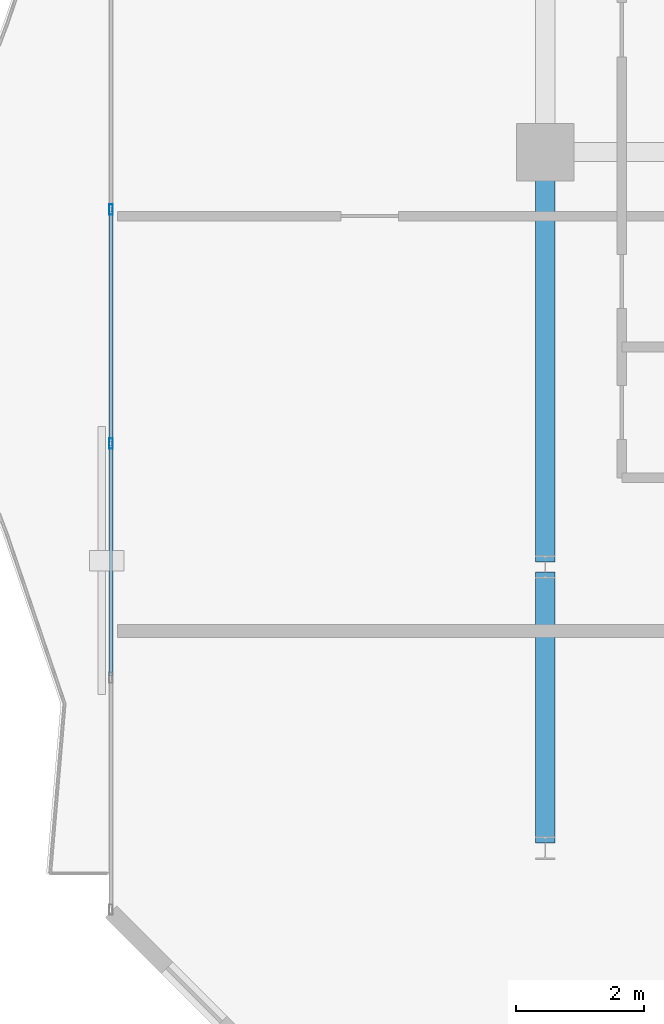
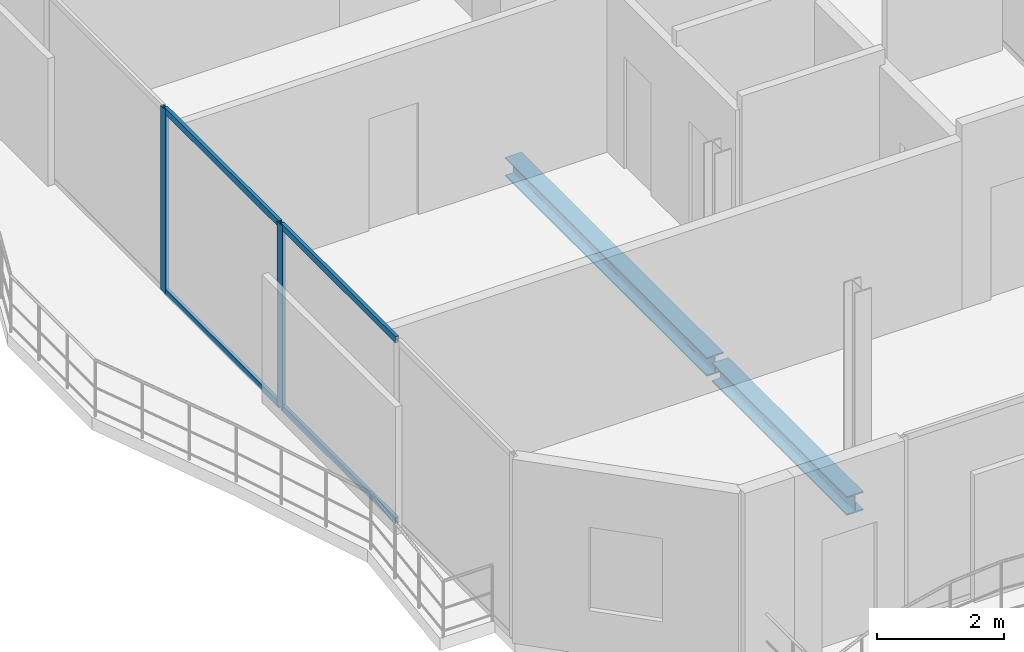
# One storey, part 3 of 17: 6 members, 2 beams, 1 element without a shape of its own.
"""IFC4 building model written with IfcOpenShell, lengths in metres."""

from ifc_helpers import new_model, si_unit, direction, frame, origin, origin_2d, place, context, subcontext, project, spatial, hollow_rectangle, i_section, extrude, material, layer, layer_set, material_profile, profile_set, type_object, element, aggregate, save


model = new_model("IFC4")

# Units and contexts
model_context = context("Model", 3, precision=1e-05, world=origin(), true_north=direction((0.0, 1.0)))
body_context = subcontext(model_context, "Body", "Model", "MODEL_VIEW")
ifc_project = project(units=[si_unit("LENGTHUNIT", "METRE"), si_unit("AREAUNIT", "SQUARE_METRE"), si_unit("VOLUMEUNIT", "CUBIC_METRE"), si_unit("PLANEANGLEUNIT", "RADIAN"), si_unit("MASSUNIT", "GRAM", prefix="KILO")], contexts=[model_context])

# Site, building, storey
site_placement = place(None, origin())
site = spatial("IfcSite", under=ifc_project, at=site_placement, CompositionType="ELEMENT")
building_placement = place(site_placement, origin())
building = spatial("IfcBuilding", under=site, at=building_placement, Name="Catumbela Crestline Tower", CompositionType="ELEMENT")
storey_placement = place(building_placement, frame((0.0, 0.0, 283.0)))
storey = spatial("IfcBuildingStorey", under=building, at=storey_placement, Name="L73", CompositionType="ELEMENT", Elevation=283.0)

# Beams
ifc_material_1 = material(Name="Structural steel S355J2", Category="steel")
ifc_material_profile_1 = material_profile(ifc_material_1, i_section(OverallWidth=0.3, OverallDepth=0.36, WebThickness=0.0125, FlangeThickness=0.0225, FilletRadius=0.027, at=origin_2d()), Name="HEB 360")
ifc_profile_set_1 = profile_set([ifc_material_profile_1], Name="Structural steel S355J2")
beam_type = type_object("IfcBeamType", Name="BG-HEB360", PredefinedType="BEAM", material=ifc_profile_set_1)
beam_1_placement = place(storey_placement, frame((16.0, 13.68, -0.44), z_axis=(0.0, 1.0, 0.0), x_axis=(-1.0, 0.0, 0.0)))
element("IfcBeam", 1, at=beam_1_placement, inside=storey, type_object=beam_type, Name="L73 Beam BM-L73-WNS18", PredefinedType="BEAM", context=body_context, shape_type="SweptSolid", body=[
    extrude(i_section(OverallWidth=0.3, OverallDepth=0.36, WebThickness=0.0125, FlangeThickness=0.0225, FilletRadius=0.027, at=origin_2d()), origin(), (0.0, 0.0, 1.0), 4.24),
])
beam_2_placement = place(storey_placement, frame((16.0, 18.08, -0.44), z_axis=(0.0, 1.0, 0.0), x_axis=(-1.0, 0.0, 0.0)))
element("IfcBeam", 2, at=beam_2_placement, inside=storey, type_object=beam_type, Name="L73 Beam BM-L73-WNS19", PredefinedType="BEAM", context=body_context, shape_type="SweptSolid", body=[
    extrude(i_section(OverallWidth=0.3, OverallDepth=0.36, WebThickness=0.0125, FlangeThickness=0.0225, FilletRadius=0.027, at=origin_2d()), origin(), (0.0, 0.0, 1.0), 6.34),
])

# Curtain wall, members
ifc_material_2 = material(Name="Aluminium alloy AW-6060-T66", Category="aluminium")
ifc_layer = layer(ifc_material_2, 0.18, Name="Aluminium alloy AW-6060-T66")
ifc_layer_set = layer_set([ifc_layer], Name="Aluminium alloy AW-6060-T66")
curtain_wall_type = type_object("IfcCurtainWallType", Name="CWU-Z4", PredefinedType="USERDEFINED", material=ifc_layer_set)
curtain_wall_placement = place(storey_placement, origin())
curtain_wall = element("IfcCurtainWall", 3, at=curtain_wall_placement, inside=storey, type_object=curtain_wall_type, Name="L73 Unitised Curtain Wall CW-L73-E9S2", ObjectType="UNITISED", PredefinedType="USERDEFINED")
ifc_material_profile_2 = material_profile(ifc_material_2, hollow_rectangle(XDim=0.06, YDim=0.16, WallThickness=0.004, at=origin_2d()), Name="ALU 160x60x4")
ifc_profile_set_2 = profile_set([ifc_material_profile_2], Name="Aluminium alloy AW-6060-T66")
member_type_1 = type_object("IfcMemberType", Name="MUL-160X60", PredefinedType="MULLION", material=ifc_profile_set_2)
member_1_placement = place(storey_placement, frame((9.2, 23.6, 0.0), z_axis=(0.0, 0.0, 1.0), x_axis=(1.0, 0.0, 0.0)))
member_1 = element("IfcMember", 4, at=member_1_placement, type_object=member_type_1, Name="CWU-Z4 mullion 4", PredefinedType="MULLION", context=body_context, shape_type="SweptSolid", body=[
    extrude(hollow_rectangle(XDim=0.06, YDim=0.16, WallThickness=0.004, at=origin_2d()), origin(), (0.0, 0.0, 1.0), 3.53),
])
member_2_placement = place(storey_placement, frame((9.2, 19.9333, 0.0), z_axis=(0.0, 0.0, 1.0), x_axis=(1.0, 0.0, 0.0)))
member_2 = element("IfcMember", 5, at=member_2_placement, type_object=member_type_1, Name="CWU-Z4 mullion 5", PredefinedType="MULLION", context=body_context, shape_type="SweptSolid", body=[
    extrude(hollow_rectangle(XDim=0.06, YDim=0.16, WallThickness=0.004, at=origin_2d()), origin(), (0.0, 0.0, 1.0), 3.53),
])
ifc_material_profile_3 = material_profile(ifc_material_2, hollow_rectangle(XDim=0.06, YDim=0.12, WallThickness=0.0035, at=origin_2d()), Name="ALU 120x60x3.5")
ifc_profile_set_3 = profile_set([ifc_material_profile_3], Name="Aluminium alloy AW-6060-T66")
member_type_2 = type_object("IfcMemberType", Name="TRN-120X60", PredefinedType="USERDEFINED", material=ifc_profile_set_3)
member_3_placement = place(storey_placement, frame((9.2, 23.5675, 0.03), z_axis=(0.0, -1.0, 0.0), x_axis=(1.0, 0.0, 0.0)))
member_3 = element("IfcMember", 6, at=member_3_placement, type_object=member_type_2, Name="CWU-Z4 transom 4.1", ObjectType="TRANSOM", PredefinedType="USERDEFINED", context=body_context, shape_type="SweptSolid", body=[
    extrude(hollow_rectangle(XDim=0.06, YDim=0.12, WallThickness=0.0035, at=origin_2d()), origin(), (0.0, 0.0, 1.0), 3.6017),
])
member_4_placement = place(storey_placement, frame((9.2, 23.5675, 3.5), z_axis=(0.0, -1.0, 0.0), x_axis=(1.0, 0.0, 0.0)))
member_4 = element("IfcMember", 7, at=member_4_placement, type_object=member_type_2, Name="CWU-Z4 transom 4.2", ObjectType="TRANSOM", PredefinedType="USERDEFINED", context=body_context, shape_type="SweptSolid", body=[
    extrude(hollow_rectangle(XDim=0.06, YDim=0.12, WallThickness=0.0035, at=origin_2d()), origin(), (0.0, 0.0, 1.0), 3.6017),
])
member_5_placement = place(storey_placement, frame((9.2, 19.9008, 0.03), z_axis=(0.0, -1.0, 0.0), x_axis=(1.0, 0.0, 0.0)))
member_5 = element("IfcMember", 8, at=member_5_placement, type_object=member_type_2, Name="CWU-Z4 transom 5.1", ObjectType="TRANSOM", PredefinedType="USERDEFINED", context=body_context, shape_type="SweptSolid", body=[
    extrude(hollow_rectangle(XDim=0.06, YDim=0.12, WallThickness=0.0035, at=origin_2d()), origin(), (0.0, 0.0, 1.0), 3.6016),
])
member_6_placement = place(storey_placement, frame((9.2, 19.9008, 3.5), z_axis=(0.0, -1.0, 0.0), x_axis=(1.0, 0.0, 0.0)))
member_6 = element("IfcMember", 9, at=member_6_placement, type_object=member_type_2, Name="CWU-Z4 transom 5.2", ObjectType="TRANSOM", PredefinedType="USERDEFINED", context=body_context, shape_type="SweptSolid", body=[
    extrude(hollow_rectangle(XDim=0.06, YDim=0.12, WallThickness=0.0035, at=origin_2d()), origin(), (0.0, 0.0, 1.0), 3.6016),
])
aggregate(curtain_wall, [member_1, member_2, member_3, member_4, member_5, member_6])

save(model, "model.ifc")
